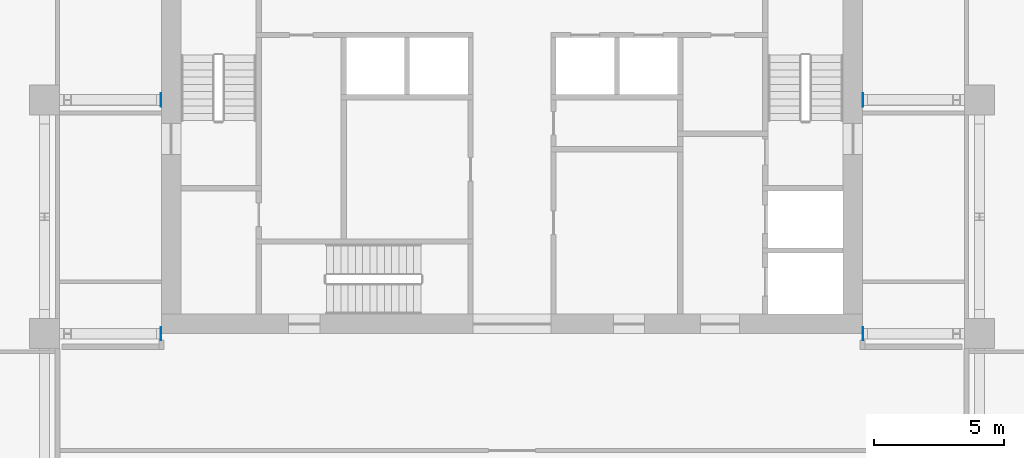
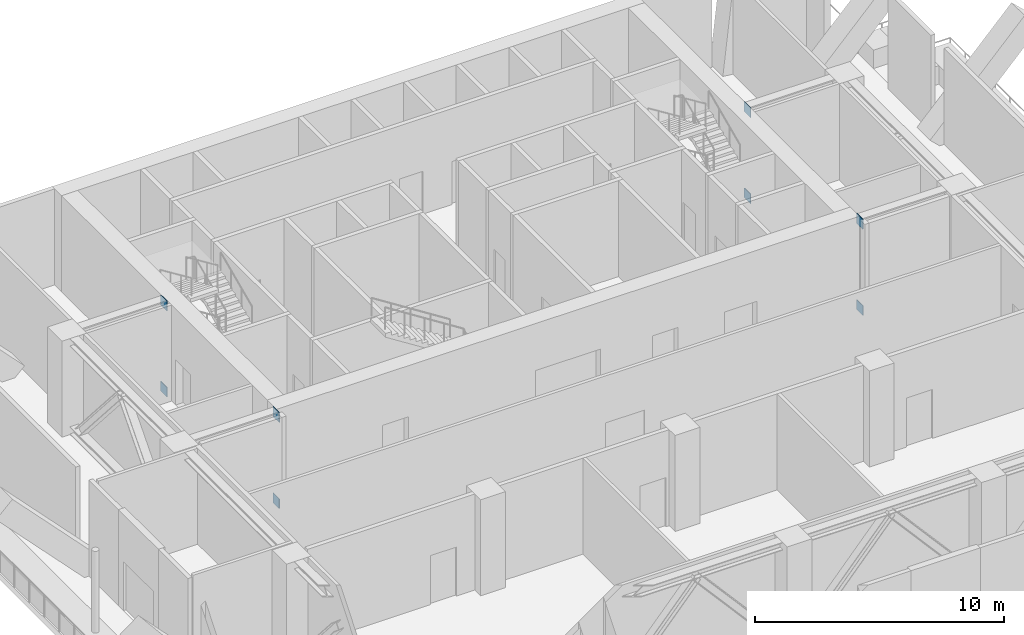
# One storey, part 2 of 9: 8 plates.
"""IFC4 building model written with IfcOpenShell, lengths in metres."""

import ifcopenshell
import ifcopenshell.guid

model = None  # the IFC model being written
_history = None  # IfcOwnerHistory: only IFC2X3 demands one
_inside = {}  # id of a spatial element -> (the spatial element, [elements in it])
_under = {}  # id of a project, library or spatial element -> (it, [spatial elements below it])
_declared = {}  # id of a project -> (the project, [libraries it declares])
_typed = {}  # id of a type object -> (the type object, [elements of that type])
_made_of = {}  # id of a material, layer set ... -> (it, [elements and type objects made of it])


def new_model(schema):
    """Start an empty IFC model of exactly this schema.

    Asked for "IFC4X3", IfcOpenShell would pick the latest addendum, in which some entities
    have other attributes; the version numbers below select the first issue.
    IFC2X3 requires an IfcOwnerHistory on every rooted entity: one is made here for all.
    """
    global model, _history
    if schema == "IFC4X3":
        model = ifcopenshell.file(schema_version=(4, 3, 0, 0))
    else:
        model = ifcopenshell.file(schema=schema)
    _inside.clear()
    _under.clear()
    _declared.clear()
    _typed.clear()
    _made_of.clear()
    _history = None
    if model.schema == "IFC2X3":
        org = make("IfcOrganization", Name="unknown")
        user = make(
            "IfcPersonAndOrganization",
            ThePerson=make("IfcPerson", FamilyName="unknown"),
            TheOrganization=org,
        )
        app = make(
            "IfcApplication",
            ApplicationDeveloper=org,
            Version="unknown",
            ApplicationFullName="unknown",
            ApplicationIdentifier="unknown",
        )
        _history = make(
            "IfcOwnerHistory",
            OwningUser=user,
            OwningApplication=app,
            ChangeAction="ADDED",
            CreationDate=0,
        )
    return model


def make(cls, **values):
    """One entity of the class cls with the attributes given. An attribute that is None is left unset."""
    return model.create_entity(
        cls, **{name: value for name, value in values.items() if value is not None}
    )


def rooted(cls, **values):
    """An entity with a GlobalId (a new one), such as an element, a storey or a relation."""
    return make(cls, GlobalId=ifcopenshell.guid.new(), OwnerHistory=_history, **values)


def si_unit(unit_type, name, prefix=None):
    """IfcSIUnit, for example si_unit("LENGTHUNIT", "METRE", prefix="MILLI")."""
    return make("IfcSIUnit", UnitType=unit_type, Prefix=prefix, Name=name)


def assignment(units):
    """IfcUnitAssignment: the units of a project."""
    return None if units is None else make("IfcUnitAssignment", Units=units)


def point(xyz):
    """IfcCartesianPoint."""
    return None if xyz is None else make("IfcCartesianPoint", Coordinates=xyz)


def direction(xyz):
    """IfcDirection."""
    return None if xyz is None else make("IfcDirection", DirectionRatios=xyz)


def frame(location, z_axis=None, x_axis=None):
    """IfcAxis2Placement3D, a coordinate frame: its origin and axes. An axis left out is left unset."""
    return make(
        "IfcAxis2Placement3D",
        Location=point(location),
        Axis=direction(z_axis),
        RefDirection=direction(x_axis),
    )


def frame_2d(location, x_axis=None):
    """IfcAxis2Placement2D, a coordinate frame in the plane: its origin and x axis."""
    return make(
        "IfcAxis2Placement2D", Location=point(location), RefDirection=direction(x_axis)
    )


def origin():
    """The frame at (0, 0, 0) with its axes left unset."""
    return frame((0.0, 0.0, 0.0))


def origin_2d():
    """The frame at (0, 0) in the plane with its x axis left unset."""
    return frame_2d((0.0, 0.0))


def place(relative_to, where):
    """IfcLocalPlacement: puts the frame where relative to a parent placement (None: the world)."""
    return make(
        "IfcLocalPlacement", PlacementRelTo=relative_to, RelativePlacement=where
    )


def context(
    kind, dimensions, precision=None, world=None, true_north=None, identifier=None
):
    """IfcGeometricRepresentationContext, for example the 3D "Model" context."""
    return make(
        "IfcGeometricRepresentationContext",
        ContextIdentifier=identifier,
        ContextType=kind,
        CoordinateSpaceDimension=dimensions,
        Precision=precision,
        WorldCoordinateSystem=world,
        TrueNorth=true_north,
    )


def subcontext(parent, identifier, kind, view, scale=None):
    """IfcGeometricRepresentationSubContext, for example "Body" below "Model"."""
    return make(
        "IfcGeometricRepresentationSubContext",
        ContextIdentifier=identifier,
        ContextType=kind,
        ParentContext=parent,
        TargetScale=scale,
        TargetView=view,
    )


def project(units=None, contexts=None):
    """IfcProject with its units and contexts."""
    return rooted(
        "IfcProject",
        Name="project",
        RepresentationContexts=contexts,
        UnitsInContext=assignment(units),
    )


def spatial(cls, under=None, at=None, **own):
    """A site, building, storey or space (cls), placed at a placement, below another one or the project."""
    s = rooted(cls, ObjectPlacement=at, **own)
    if under is not None:
        _under.setdefault(under.id(), (under, []))[1].append(s)
    return s


def profile(cls, at=None, kind="AREA", **sizes):
    """A parametric profile (cls). Its sizes go by their IFC names, for example OverallWidth=200.0."""
    return make(cls, ProfileType=kind, Position=at, **sizes)


def rectangle(**sizes):
    """IfcRectangleProfileDef."""
    return profile("IfcRectangleProfileDef", **sizes)


def extrude(swept, where, along, depth):
    """IfcExtrudedAreaSolid: the profile swept, set in the frame where, extruded along a direction by depth."""
    return make(
        "IfcExtrudedAreaSolid",
        SweptArea=swept,
        Position=where,
        ExtrudedDirection=direction(along),
        Depth=depth,
    )


def shape(context_of_items, identifier, shape_type, items):
    """IfcShapeRepresentation: the items that make up one representation, for example the "Body"."""
    return make(
        "IfcShapeRepresentation",
        ContextOfItems=context_of_items,
        RepresentationIdentifier=identifier,
        RepresentationType=shape_type,
        Items=items,
    )


def material(Name=None, Category=None):
    """IfcMaterial."""
    return make("IfcMaterial", Name=Name, Category=Category)


def layer(
    of_material, thickness, ventilated=None, Name=None, Category=None, Priority=None
):
    """IfcMaterialLayer: one layer of a wall or slab, of a material (None: an air gap)."""
    return make(
        "IfcMaterialLayer",
        Material=of_material,
        LayerThickness=thickness,
        IsVentilated=ventilated,
        Name=Name,
        Category=Category,
        Priority=Priority,
    )


def layer_set(layers, Name=None):
    """IfcMaterialLayerSet."""
    return make("IfcMaterialLayerSet", MaterialLayers=layers, LayerSetName=Name)


def made_of(thing, what):
    """Note that an element or type object is made of a material, layer set ...; save() writes the relation."""
    if what is not None:
        _made_of.setdefault(what.id(), (what, []))[1].append(thing)
    return thing


def type_object(cls, material=None, **own):
    """A type object (cls), such as IfcWallType, which elements share."""
    return made_of(rooted(cls, **own), material)


def element(
    cls,
    number,
    at=None,
    inside=None,
    cuts=None,
    type_object=None,
    material=None,
    context=None,
    identifier="Body",
    shape_type=None,
    held_by="IfcProductDefinitionShape",
    body=None,
    shapes=None,
    **own,
):
    """One element of the class cls, such as IfcWall. Its Tag is "e" and its number.

    at: its placement. inside: the storey or other place that contains it. cuts: it is an
    opening in that element (IfcRelVoidsElement). A single representation is given by context,
    identifier, shape_type and body (its items); several are given by shapes. held_by: the class
    of the entity that holds the representations. save() writes the other relations.
    """
    e = rooted(cls, Tag="e%d" % number, ObjectPlacement=at, **own)
    if body is not None:
        shapes = [shape(context, identifier, shape_type, body)]
    if shapes is not None:
        e.Representation = make(held_by, Representations=shapes)
    if inside is not None:
        _inside.setdefault(inside.id(), (inside, []))[1].append(e)
    if cuts is not None:
        rooted(
            "IfcRelVoidsElement", RelatingBuildingElement=cuts, RelatedOpeningElement=e
        )
    if type_object is not None:
        _typed.setdefault(type_object.id(), (type_object, []))[1].append(e)
    return made_of(e, material)


def aggregate(whole, parts):
    """IfcRelAggregates: a whole, such as a stair, and the parts it consists of."""
    return rooted("IfcRelAggregates", RelatingObject=whole, RelatedObjects=parts)


def save(model, path):
    """Write the relations noted so far, then the file.

    IfcRelAggregates (storeys below a building ...), IfcRelContainedInSpatialStructure (elements
    in a storey), IfcRelDefinesByType, IfcRelAssociatesMaterial and IfcRelDeclares: one each for
    every whole, place, type object, material and project.
    """
    for whole, parts in _under.values():
        aggregate(whole, parts)
    for where, things in _inside.values():
        rooted(
            "IfcRelContainedInSpatialStructure",
            RelatedElements=things,
            RelatingStructure=where,
        )
    for kind, things in _typed.values():
        rooted("IfcRelDefinesByType", RelatedObjects=things, RelatingType=kind)
    for what, things in _made_of.values():
        rooted("IfcRelAssociatesMaterial", RelatedObjects=things, RelatingMaterial=what)
    for by, libraries in _declared.values():
        rooted("IfcRelDeclares", RelatingContext=by, RelatedDefinitions=libraries)
    model.write(path)


model = new_model("IFC4")

# Units and contexts
model_context = context("Model", 3, precision=1e-05, world=origin(), true_north=direction((0.0, 1.0)))
body_context = subcontext(model_context, "Body", "Model", "MODEL_VIEW")
ifc_project = project(units=[si_unit("LENGTHUNIT", "METRE"), si_unit("AREAUNIT", "SQUARE_METRE"), si_unit("VOLUMEUNIT", "CUBIC_METRE"), si_unit("PLANEANGLEUNIT", "RADIAN"), si_unit("MASSUNIT", "GRAM", prefix="KILO")], contexts=[model_context])

# Site, building, storey
site_placement = place(None, origin())
site = spatial("IfcSite", under=ifc_project, at=site_placement, CompositionType="ELEMENT")
building_placement = place(site_placement, origin())
building = spatial("IfcBuilding", under=site, at=building_placement, Name="Orbiselva Terraces", CompositionType="ELEMENT")
storey_placement = place(building_placement, frame((0.0, 0.0, 179.4)))
storey = spatial("IfcBuildingStorey", under=building, at=storey_placement, Name="L45", CompositionType="ELEMENT", Elevation=179.4)

# Plates
ifc_material = material(Name="Steel ASTM A572 Grade 50 plate", Category="steel")
ifc_layer_1 = layer(ifc_material, 0.03)
ifc_layer_set_1 = layer_set([ifc_layer_1], Name="Steel ASTM A572 Grade 50 plate")
plate_type_1 = type_object("IfcPlateType", Name="CAST-IN PLATE 509X474X30", PredefinedType="SHEET", material=ifc_layer_set_1)
for number, where, z_axis, x_axis, name in (
    (1, (-13.515, 4.5, 0.0), (0.0, 0.0, 1.0), (1.0, 0.0, 0.0), "Cast-in plate EP4 L45 west grid E bottom chord"),
    (2, (-13.515, 13.5, 0.0), (0.0, 0.0, 1.0), (1.0, 0.0, 0.0), "Cast-in plate EP4 L45 west grid F bottom chord"),
    (3, (13.515, 4.5, 0.0), (0.0, 0.0, 1.0), (1.0, 0.0, 0.0), "Cast-in plate EP4 L45 east grid E bottom chord"),
    (4, (13.515, 13.5, 0.0), (0.0, 0.0, 1.0), (1.0, 0.0, 0.0), "Cast-in plate EP4 L45 east grid F bottom chord"),
):
    element("IfcPlate", number, at=place(storey_placement, frame(where, z_axis=z_axis, x_axis=x_axis)), inside=storey, type_object=plate_type_1, Name=name, PredefinedType="SHEET", context=body_context, shape_type="SweptSolid", body=[
        extrude(rectangle(XDim=0.03, YDim=0.509, at=origin_2d()), origin(), (0.0, 0.0, 1.0), 0.474),
    ])
ifc_layer_2 = layer(ifc_material, 0.03)
ifc_layer_set_2 = layer_set([ifc_layer_2], Name="Steel ASTM A572 Grade 50 plate")
plate_type_2 = type_object("IfcPlateType", Name="CAST-IN PLATE 511X484X30", PredefinedType="SHEET", material=ifc_layer_set_2)
for number, where, z_axis, x_axis, name in (
    (5, (-13.515, 4.5, 4.216), (0.0, 0.0, 1.0), (1.0, 0.0, 0.0), "Cast-in plate EP3 L45 west grid E top chord"),
    (6, (-13.515, 13.5, 4.216), (0.0, 0.0, 1.0), (1.0, 0.0, 0.0), "Cast-in plate EP3 L45 west grid F top chord"),
    (7, (13.515, 4.5, 4.216), (0.0, 0.0, 1.0), (1.0, 0.0, 0.0), "Cast-in plate EP3 L45 east grid E top chord"),
    (8, (13.515, 13.5, 4.216), (0.0, 0.0, 1.0), (1.0, 0.0, 0.0), "Cast-in plate EP3 L45 east grid F top chord"),
):
    element("IfcPlate", number, at=place(storey_placement, frame(where, z_axis=z_axis, x_axis=x_axis)), inside=storey, type_object=plate_type_2, Name=name, PredefinedType="SHEET", context=body_context, shape_type="SweptSolid", body=[
        extrude(rectangle(XDim=0.03, YDim=0.511, at=origin_2d()), origin(), (0.0, 0.0, 1.0), 0.484),
    ])

save(model, "model.ifc")
